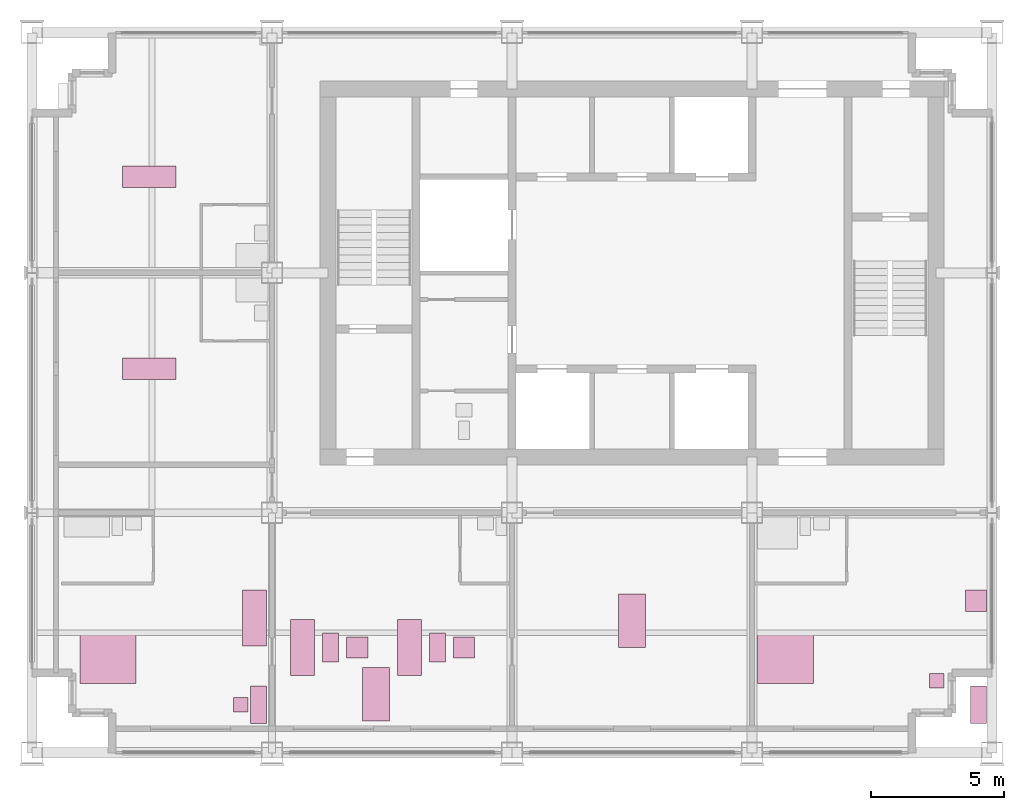
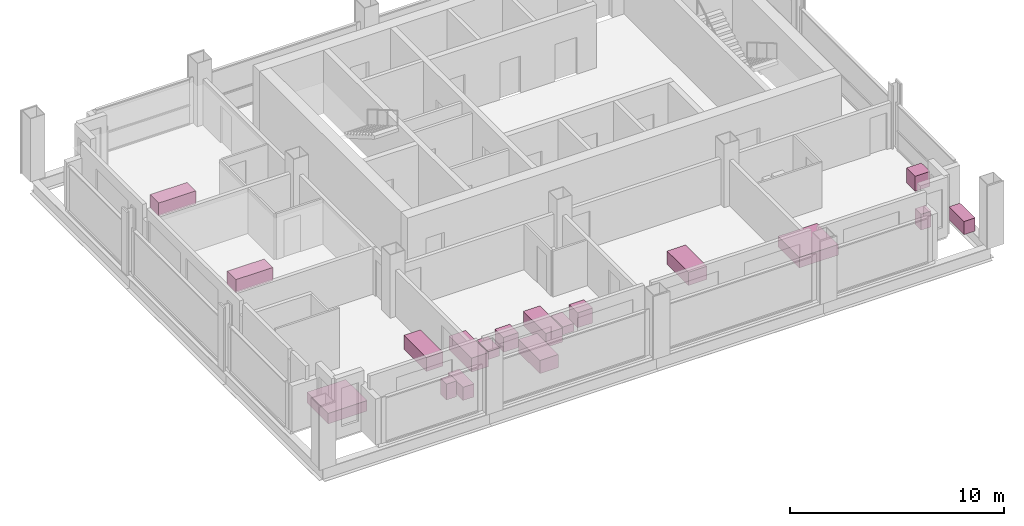
# One storey, part 11 of 11: 18 furniture elements.
"""IFC4 building model written with IfcOpenShell, lengths in metres."""

from ifc_helpers import new_model, si_unit, direction, frame, origin, origin_2d, place, context, subcontext, project, spatial, rectangle, extrude, element, save


model = new_model("IFC4")

# Units and contexts
model_context = context("Model", 3, precision=1e-05, world=origin(), true_north=direction((0.0, 1.0)))
body_context = subcontext(model_context, "Body", "Model", "MODEL_VIEW")
ifc_project = project(units=[si_unit("LENGTHUNIT", "METRE"), si_unit("AREAUNIT", "SQUARE_METRE"), si_unit("VOLUMEUNIT", "CUBIC_METRE"), si_unit("PLANEANGLEUNIT", "RADIAN"), si_unit("MASSUNIT", "GRAM", prefix="KILO")], contexts=[model_context])

# Site, building, storey
site_placement = place(None, origin())
site = spatial("IfcSite", under=ifc_project, at=site_placement, CompositionType="ELEMENT")
building_placement = place(site_placement, origin())
building = spatial("IfcBuilding", under=site, at=building_placement, Name="Loomwork Tower", CompositionType="ELEMENT")
storey_placement = place(building_placement, frame((0.0, 0.0, 262.60009765625)))
storey = spatial("IfcBuildingStorey", under=building, at=storey_placement, Name="L72", CompositionType="ELEMENT", Elevation=262.60009765625)

# Furniture
furniture_1_placement = place(storey_placement, frame((2.85009765625, 3.60009765625, -0.000244140625), z_axis=(0.0, 0.0, 1.0), x_axis=(1.0, 0.0, 0.0)))
element("IfcFurniture", 1, at=furniture_1_placement, inside=storey, Name="King bed L72", PredefinedType="BED", context=body_context, shape_type="SweptSolid", body=[
    extrude(rectangle(XDim=2.10009765625, YDim=2.0, at=origin_2d()), origin(), (0.0, 0.0, 1.0), 0.60009765625),
])
furniture_2_placement = place(storey_placement, frame((8.5, 1.800048828125, 0.0), z_axis=(0.0, 0.0, 1.0), x_axis=(1.0, 0.0, 0.0)))
element("IfcFurniture", 2, at=furniture_2_placement, inside=storey, Name="Writing desk L72", PredefinedType="DESK", context=body_context, shape_type="SweptSolid", body=[
    extrude(rectangle(XDim=0.60009765625, YDim=1.39990234375, at=origin_2d()), origin(), (0.0, 0.0, 1.0), 0.75),
])
furniture_3_placement = place(storey_placement, frame((7.824951171875, 1.800048828125, 0.0), z_axis=(0.0, 0.0, 1.0), x_axis=(1.0, 0.0, 0.0)))
element("IfcFurniture", 3, at=furniture_3_placement, inside=storey, Name="Desk chair L72", PredefinedType="CHAIR", context=body_context, shape_type="SweptSolid", body=[
    extrude(rectangle(XDim=0.550048828125, YDim=0.550048828125, at=origin_2d()), origin(), (0.0, 0.0, 1.0), 0.89990234375),
])
for number, where, z_axis, x_axis, name in (
    (4, (8.35009765625, 5.050048828125, 0.0), (0.0, 0.0, 1.0), (1.0, 0.0, 0.0), "Sofa L72"),
    (5, (10.14990234375, 3.949951171875, 0.0), (0.0, 0.0, 1.0), (1.0, 0.0, 0.0), "Sofa L72"),
):
    element("IfcFurniture", number, at=place(storey_placement, frame(where, z_axis=z_axis, x_axis=x_axis)), inside=storey, Name=name, PredefinedType="SOFA", context=body_context, shape_type="SweptSolid", body=[
        extrude(rectangle(XDim=0.89990234375, YDim=2.10009765625, at=origin_2d()), origin(), (0.0, 0.0, 1.0), 0.800048828125),
    ])
furniture_4_placement = place(storey_placement, frame((11.199951171875, 3.949951171875, 0.0), z_axis=(0.0, 0.0, 1.0), x_axis=(1.0, 0.0, 0.0)))
element("IfcFurniture", 6, at=furniture_4_placement, inside=storey, Name="Coffee table L72", PredefinedType="TABLE", context=body_context, shape_type="SweptSolid", body=[
    extrude(rectangle(XDim=0.60009765625, YDim=1.10009765625, at=origin_2d()), origin(), (0.0, 0.0, 1.0), 0.449951171875),
])
furniture_5_placement = place(storey_placement, frame((12.199951171875, 3.949951171875, -0.000244140625), z_axis=(0.0, 0.0, 1.0), x_axis=(1.0, 0.0, 0.0)))
element("IfcFurniture", 7, at=furniture_5_placement, inside=storey, Name="Lounge armchair L72", PredefinedType="CHAIR", context=body_context, shape_type="SweptSolid", body=[
    extrude(rectangle(XDim=0.800048828125, YDim=0.800048828125, at=origin_2d()), origin(), (0.0, 0.0, 1.0), 0.85009765625),
])
furniture_6_placement = place(storey_placement, frame((14.14990234375, 3.949951171875, 0.0), z_axis=(0.0, 0.0, 1.0), x_axis=(1.0, 0.0, 0.0)))
element("IfcFurniture", 8, at=furniture_6_placement, inside=storey, Name="Sofa L72", PredefinedType="SOFA", context=body_context, shape_type="SweptSolid", body=[
    extrude(rectangle(XDim=0.89990234375, YDim=2.10009765625, at=origin_2d()), origin(), (0.0, 0.0, 1.0), 0.800048828125),
])
furniture_7_placement = place(storey_placement, frame((15.199951171875, 3.949951171875, 0.0), z_axis=(0.0, 0.0, 1.0), x_axis=(1.0, 0.0, 0.0)))
element("IfcFurniture", 9, at=furniture_7_placement, inside=storey, Name="Coffee table L72", PredefinedType="TABLE", context=body_context, shape_type="SweptSolid", body=[
    extrude(rectangle(XDim=0.60009765625, YDim=1.10009765625, at=origin_2d()), origin(), (0.0, 0.0, 1.0), 0.449951171875),
])
furniture_8_placement = place(storey_placement, frame((16.199951171875, 3.949951171875, -0.000244140625), z_axis=(0.0, 0.0, 1.0), x_axis=(1.0, 0.0, 0.0)))
element("IfcFurniture", 10, at=furniture_8_placement, inside=storey, Name="Lounge armchair L72", PredefinedType="CHAIR", context=body_context, shape_type="SweptSolid", body=[
    extrude(rectangle(XDim=0.800048828125, YDim=0.800048828125, at=origin_2d()), origin(), (0.0, 0.0, 1.0), 0.85009765625),
])
for number, where, z_axis, x_axis, name in (
    (11, (12.89990234375, 2.199951171875, 0.0), (0.0, 0.0, 1.0), (1.0, 0.0, 0.0), "Dining table L72"),
    (12, (22.5, 4.949951171875, 0.0), (0.0, 0.0, 1.0), (1.0, 0.0, 0.0), "Dining table L72"),
):
    element("IfcFurniture", number, at=place(storey_placement, frame(where, z_axis=z_axis, x_axis=x_axis)), inside=storey, Name=name, PredefinedType="TABLE", context=body_context, shape_type="SweptSolid", body=[
        extrude(rectangle(XDim=1.0, YDim=2.0, at=origin_2d()), origin(), (0.0, 0.0, 1.0), 0.75),
    ])
furniture_9_placement = place(storey_placement, frame((28.25, 3.60009765625, -0.000244140625), z_axis=(0.0, 0.0, 1.0), x_axis=(1.0, 0.0, 0.0)))
element("IfcFurniture", 13, at=furniture_9_placement, inside=storey, Name="King bed L72", PredefinedType="BED", context=body_context, shape_type="SweptSolid", body=[
    extrude(rectangle(XDim=2.10009765625, YDim=2.0, at=origin_2d()), origin(), (0.0, 0.0, 1.0), 0.60009765625),
])
furniture_10_placement = place(storey_placement, frame((35.5, 1.800048828125, 0.0), z_axis=(0.0, 0.0, 1.0), x_axis=(1.0, 0.0, 0.0)))
element("IfcFurniture", 14, at=furniture_10_placement, inside=storey, Name="Writing desk L72", PredefinedType="DESK", context=body_context, shape_type="SweptSolid", body=[
    extrude(rectangle(XDim=0.60009765625, YDim=1.39990234375, at=origin_2d()), origin(), (0.0, 0.0, 1.0), 0.75),
])
furniture_11_placement = place(storey_placement, frame((33.925048828125, 2.699951171875, 0.0), z_axis=(0.0, 0.0, 1.0), x_axis=(1.0, 0.0, 0.0)))
element("IfcFurniture", 15, at=furniture_11_placement, inside=storey, Name="Desk chair L72", PredefinedType="CHAIR", context=body_context, shape_type="SweptSolid", body=[
    extrude(rectangle(XDim=0.550048828125, YDim=0.550048828125, at=origin_2d()), origin(), (0.0, 0.0, 1.0), 0.89990234375),
])
furniture_12_placement = place(storey_placement, frame((35.39990234375, 5.699951171875, -0.000244140625), z_axis=(0.0, 0.0, 1.0), x_axis=(1.0, 0.0, 0.0)))
element("IfcFurniture", 16, at=furniture_12_placement, inside=storey, Name="Lounge armchair L72", PredefinedType="CHAIR", context=body_context, shape_type="SweptSolid", body=[
    extrude(rectangle(XDim=0.800048828125, YDim=0.800048828125, at=origin_2d()), origin(), (0.0, 0.0, 1.0), 0.85009765625),
])
for number, where, z_axis, x_axis, name in (
    (17, (4.39990234375, 14.39990234375, 0.0), (0.0, 0.0, 1.0), (1.0, 0.0, 0.0), "Treatment couch L72"),
    (18, (4.39990234375, 21.60009765625, 0.0), (0.0, 0.0, 1.0), (1.0, 0.0, 0.0), "Treatment couch L72"),
):
    element("IfcFurniture", number, at=place(storey_placement, frame(where, z_axis=z_axis, x_axis=x_axis)), inside=storey, Name=name, PredefinedType="BED", context=body_context, shape_type="SweptSolid", body=[
        extrude(rectangle(XDim=2.0, YDim=0.800048828125, at=origin_2d()), origin(), (0.0, 0.0, 1.0), 0.75),
    ])

save(model, "model.ifc")
